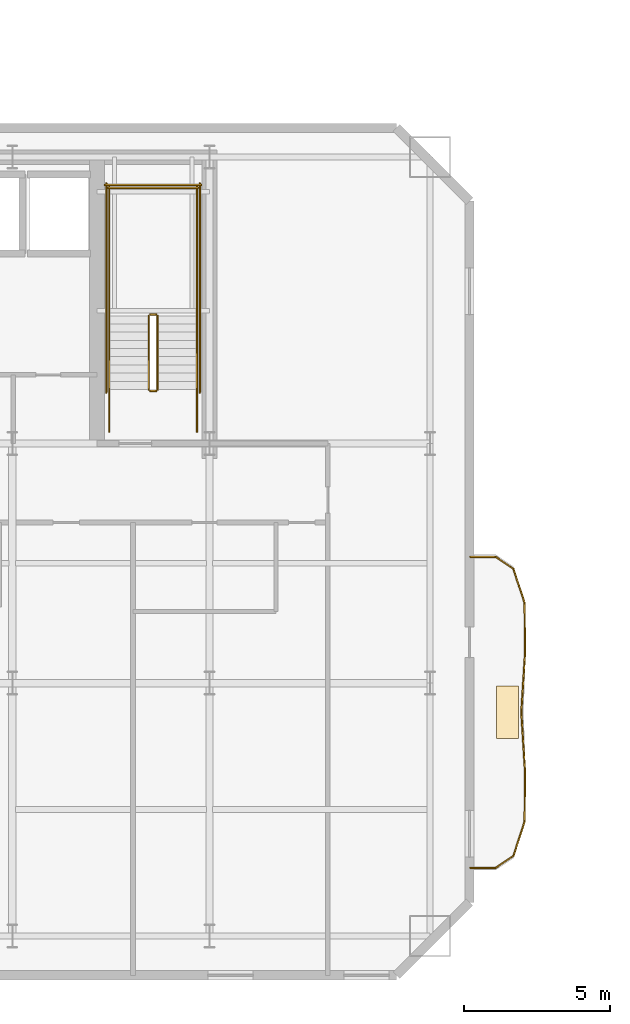
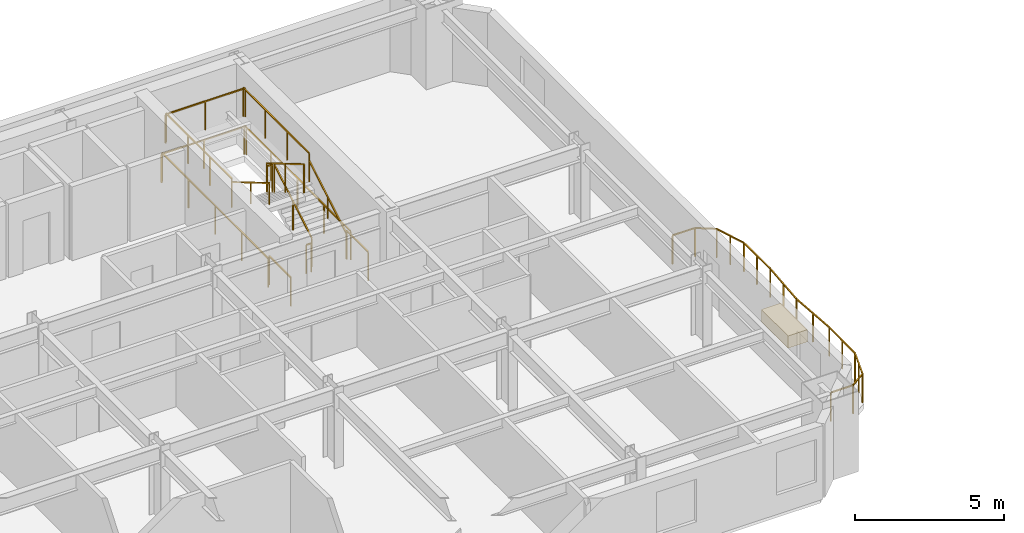
# One storey, part 11 of 13: 24 railings, 1 covering.
"""IFC4 building model written with IfcOpenShell, lengths in metres."""

from ifc_helpers import new_model, si_unit, direction, frame, origin, origin_2d, place, context, subcontext, project, spatial, rectangle, extrude, material, layer, layer_set, type_object, element, save


model = new_model("IFC4")

# Units and contexts
model_context = context("Model", 3, precision=1e-05, world=origin(), true_north=direction((0.0, 1.0)))
body_context = subcontext(model_context, "Body", "Model", "MODEL_VIEW")
ifc_project = project(units=[si_unit("LENGTHUNIT", "METRE"), si_unit("AREAUNIT", "SQUARE_METRE"), si_unit("VOLUMEUNIT", "CUBIC_METRE"), si_unit("PLANEANGLEUNIT", "RADIAN"), si_unit("MASSUNIT", "GRAM", prefix="KILO")], contexts=[model_context])

# Site, building, storey
site_placement = place(None, origin())
site = spatial("IfcSite", under=ifc_project, at=site_placement, CompositionType="ELEMENT")
building_placement = place(site_placement, origin())
building = spatial("IfcBuilding", under=site, at=building_placement, Name="Haevon Station Towers", CompositionType="ELEMENT")
storey_placement = place(building_placement, frame((0.0, 0.0, 126.300048828125)))
storey = spatial("IfcBuildingStorey", under=building, at=storey_placement, Name="L34", CompositionType="ELEMENT", Elevation=126.300048828125)

# Railings
ifc_material_1 = material(Name="Steel S355", Category="steel")
railing_type_1 = type_object("IfcRailingType", Name="GRD-EXT1200", PredefinedType="GUARDRAIL", material=ifc_material_1)
railing_1_placement = place(storey_placement, frame((59.923583984375, 23.677734375, 0.0)))
element("IfcRailing", 1, at=railing_1_placement, inside=storey, type_object=railing_type_1, Name="L34 Perimeter Guardrail 1", PredefinedType="GUARDRAIL", context=body_context, shape_type="SweptSolid", body=[
    extrude(rectangle(XDim=0.048095703125, YDim=0.048095703125, at=origin_2d()), frame((0.0, 0.0, 1.17578125), z_axis=(0.999997476494, 0.002246554286, 0.0), x_axis=(-0.002246554286, 0.999997476494, 0.0)), (0.0, 0.0, 1.0), 0.869384765625),
    extrude(rectangle(XDim=0.0419921875, YDim=0.0419921875, at=origin_2d()), origin(), (0.0, 0.0, 1.0), 1.15185546875),
    extrude(rectangle(XDim=0.0419921875, YDim=0.0419921875, at=origin_2d()), frame((0.869384765625, 0.001953125, 0.0)), (0.0, 0.0, 1.0), 1.15185546875),
])
railing_2_placement = place(storey_placement, frame((60.79296875, 23.6796875, 0.0)))
element("IfcRailing", 2, at=railing_2_placement, inside=storey, type_object=railing_type_1, Name="L34 Perimeter Guardrail 2", PredefinedType="GUARDRAIL", context=body_context, shape_type="SweptSolid", body=[
    extrude(rectangle(XDim=0.048095703125, YDim=0.048095703125, at=origin_2d()), frame((0.0, 0.0, 1.17578125), z_axis=(0.827983486592, 0.560752481876, 0.0), x_axis=(-0.560752481876, 0.827983486592, 0.0)), (0.0, 0.0, 1.0), 0.733642578125),
    extrude(rectangle(XDim=0.0419921875, YDim=0.0419921875, at=origin_2d()), origin(), (0.0, 0.0, 1.0), 1.15185546875),
    extrude(rectangle(XDim=0.0419921875, YDim=0.0419921875, at=origin_2d()), frame((0.607421875, 0.411376953125, 0.0)), (0.0, 0.0, 1.0), 1.15185546875),
])
railing_3_placement = place(storey_placement, frame((61.400390625, 24.091064453125, 0.0)))
element("IfcRailing", 3, at=railing_3_placement, inside=storey, type_object=railing_type_1, Name="L34 Perimeter Guardrail 3", PredefinedType="GUARDRAIL", context=body_context, shape_type="SweptSolid", body=[
    extrude(rectangle(XDim=0.048095703125, YDim=0.048095703125, at=origin_2d()), frame((0.0, 0.0, 1.17578125), z_axis=(0.312299013333, 0.949983855795, 0.0), x_axis=(-0.949983855795, 0.312299013333, 0.0)), (0.0, 0.0, 1.0), 1.231201171875),
    extrude(rectangle(XDim=0.0419921875, YDim=0.0419921875, at=origin_2d()), origin(), (0.0, 0.0, 1.0), 1.15185546875),
    extrude(rectangle(XDim=0.0419921875, YDim=0.0419921875, at=origin_2d()), frame((0.1923828125, 0.5849609375, 0.0)), (0.0, 0.0, 1.0), 1.15185546875),
    extrude(rectangle(XDim=0.0419921875, YDim=0.0419921875, at=origin_2d()), frame((0.384521484375, 1.169677734375, 0.0)), (0.0, 0.0, 1.0), 1.15185546875),
])
railing_4_placement = place(storey_placement, frame((61.784912109375, 25.2607421875, 0.0)))
element("IfcRailing", 4, at=railing_4_placement, inside=storey, type_object=railing_type_1, Name="L34 Perimeter Guardrail 4", PredefinedType="GUARDRAIL", context=body_context, shape_type="SweptSolid", body=[
    extrude(rectangle(XDim=0.048095703125, YDim=0.048095703125, at=origin_2d()), frame((0.0, 0.0, 1.17578125), z_axis=(0.006559523914, 0.999978486092, 0.0), x_axis=(-0.999978486092, 0.006559523914, 0.0)), (0.0, 0.0, 1.0), 1.749267578125),
    extrude(rectangle(XDim=0.0419921875, YDim=0.0419921875, at=origin_2d()), origin(), (0.0, 0.0, 1.0), 1.15185546875),
    extrude(rectangle(XDim=0.0419921875, YDim=0.0419921875, at=origin_2d()), frame((0.005859375, 0.87451171875, 0.0)), (0.0, 0.0, 1.0), 1.15185546875),
    extrude(rectangle(XDim=0.0419921875, YDim=0.0419921875, at=origin_2d()), frame((0.011474609375, 1.749267578125, 0.0)), (0.0, 0.0, 1.0), 1.15185546875),
])
railing_5_placement = place(storey_placement, frame((61.79638671875, 27.010009765625, 0.0)))
element("IfcRailing", 5, at=railing_5_placement, inside=storey, type_object=railing_type_1, Name="L34 Perimeter Guardrail 5", PredefinedType="GUARDRAIL", context=body_context, shape_type="SweptSolid", body=[
    extrude(rectangle(XDim=0.048095703125, YDim=0.048095703125, at=origin_2d()), frame((0.0, 0.0, 1.17578125), z_axis=(-0.062812782849, 0.99802532749, 0.0), x_axis=(-0.99802532749, -0.062812782849, 0.0)), (0.0, 0.0, 1.0), 1.993896484375),
    extrude(rectangle(XDim=0.0419921875, YDim=0.0419921875, at=origin_2d()), origin(), (0.0, 0.0, 1.0), 1.15185546875),
    extrude(rectangle(XDim=0.0419921875, YDim=0.0419921875, at=origin_2d()), frame((-0.0625, 0.9951171875, 0.0)), (0.0, 0.0, 1.0), 1.15185546875),
    extrude(rectangle(XDim=0.0419921875, YDim=0.0419921875, at=origin_2d()), frame((-0.125244140625, 1.989990234375, 0.0)), (0.0, 0.0, 1.0), 1.15185546875),
])
railing_6_placement = place(storey_placement, frame((61.671142578125, 29.0, 0.0)))
element("IfcRailing", 6, at=railing_6_placement, inside=storey, type_object=railing_type_1, Name="L34 Perimeter Guardrail 6", PredefinedType="GUARDRAIL", context=body_context, shape_type="SweptSolid", body=[
    extrude(rectangle(XDim=0.048095703125, YDim=0.048095703125, at=origin_2d()), frame((0.0, 0.0, 1.17578125), z_axis=(0.062812782849, 0.99802532749, 0.0), x_axis=(-0.99802532749, 0.062812782849, 0.0)), (0.0, 0.0, 1.0), 1.993896484375),
    extrude(rectangle(XDim=0.0419921875, YDim=0.0419921875, at=origin_2d()), origin(), (0.0, 0.0, 1.0), 1.15185546875),
    extrude(rectangle(XDim=0.0419921875, YDim=0.0419921875, at=origin_2d()), frame((0.0625, 0.9951171875, 0.0)), (0.0, 0.0, 1.0), 1.15185546875),
    extrude(rectangle(XDim=0.0419921875, YDim=0.0419921875, at=origin_2d()), frame((0.125244140625, 1.989990234375, 0.0)), (0.0, 0.0, 1.0), 1.15185546875),
])
railing_7_placement = place(storey_placement, frame((61.79638671875, 30.989990234375, 0.0)))
element("IfcRailing", 7, at=railing_7_placement, inside=storey, type_object=railing_type_1, Name="L34 Perimeter Guardrail 7", PredefinedType="GUARDRAIL", context=body_context, shape_type="SweptSolid", body=[
    extrude(rectangle(XDim=0.048095703125, YDim=0.048095703125, at=origin_2d()), frame((0.0, 0.0, 1.17578125), z_axis=(-0.006559523914, 0.999978486092, 0.0), x_axis=(-0.999978486092, -0.006559523914, 0.0)), (0.0, 0.0, 1.0), 1.749267578125),
    extrude(rectangle(XDim=0.0419921875, YDim=0.0419921875, at=origin_2d()), origin(), (0.0, 0.0, 1.0), 1.15185546875),
    extrude(rectangle(XDim=0.0419921875, YDim=0.0419921875, at=origin_2d()), frame((-0.005859375, 0.87451171875, 0.0)), (0.0, 0.0, 1.0), 1.15185546875),
    extrude(rectangle(XDim=0.0419921875, YDim=0.0419921875, at=origin_2d()), frame((-0.011474609375, 1.749267578125, 0.0)), (0.0, 0.0, 1.0), 1.15185546875),
])
railing_8_placement = place(storey_placement, frame((61.784912109375, 32.7392578125, 0.0)))
element("IfcRailing", 8, at=railing_8_placement, inside=storey, type_object=railing_type_1, Name="L34 Perimeter Guardrail 8", PredefinedType="GUARDRAIL", context=body_context, shape_type="SweptSolid", body=[
    extrude(rectangle(XDim=0.048095703125, YDim=0.048095703125, at=origin_2d()), frame((0.0, 0.0, 1.17578125), z_axis=(-0.312299013333, 0.949983855795, 0.0), x_axis=(-0.949983855795, -0.312299013333, 0.0)), (0.0, 0.0, 1.0), 1.231201171875),
    extrude(rectangle(XDim=0.0419921875, YDim=0.0419921875, at=origin_2d()), origin(), (0.0, 0.0, 1.0), 1.15185546875),
    extrude(rectangle(XDim=0.0419921875, YDim=0.0419921875, at=origin_2d()), frame((-0.1923828125, 0.5849609375, 0.0)), (0.0, 0.0, 1.0), 1.15185546875),
    extrude(rectangle(XDim=0.0419921875, YDim=0.0419921875, at=origin_2d()), frame((-0.384521484375, 1.169677734375, 0.0)), (0.0, 0.0, 1.0), 1.15185546875),
])
railing_9_placement = place(storey_placement, frame((61.400390625, 33.908935546875, 0.0)))
element("IfcRailing", 9, at=railing_9_placement, inside=storey, type_object=railing_type_1, Name="L34 Perimeter Guardrail 9", PredefinedType="GUARDRAIL", context=body_context, shape_type="SweptSolid", body=[
    extrude(rectangle(XDim=0.048095703125, YDim=0.048095703125, at=origin_2d()), frame((0.0, 0.0, 1.17578125), z_axis=(-0.827983486592, 0.560752481876, 0.0), x_axis=(-0.560752481876, -0.827983486592, 0.0)), (0.0, 0.0, 1.0), 0.733642578125),
    extrude(rectangle(XDim=0.0419921875, YDim=0.0419921875, at=origin_2d()), origin(), (0.0, 0.0, 1.0), 1.15185546875),
    extrude(rectangle(XDim=0.0419921875, YDim=0.0419921875, at=origin_2d()), frame((-0.607421875, 0.411376953125, 0.0)), (0.0, 0.0, 1.0), 1.15185546875),
])
railing_10_placement = place(storey_placement, frame((60.79296875, 34.3203125, 0.0)))
element("IfcRailing", 10, at=railing_10_placement, inside=storey, type_object=railing_type_1, Name="L34 Perimeter Guardrail 10", PredefinedType="GUARDRAIL", context=body_context, shape_type="SweptSolid", body=[
    extrude(rectangle(XDim=0.048095703125, YDim=0.048095703125, at=origin_2d()), frame((0.0, 0.0, 1.17578125), z_axis=(-0.999997476494, 0.002246554286, 0.0), x_axis=(-0.002246554286, -0.999997476494, 0.0)), (0.0, 0.0, 1.0), 0.869384765625),
    extrude(rectangle(XDim=0.0419921875, YDim=0.0419921875, at=origin_2d()), origin(), (0.0, 0.0, 1.0), 1.15185546875),
    extrude(rectangle(XDim=0.0419921875, YDim=0.0419921875, at=origin_2d()), frame((-0.869384765625, 0.001953125, 0.0)), (0.0, 0.0, 1.0), 1.15185546875),
])
railing_type_2 = type_object("IfcRailingType", Name="GRD-STR1200", PredefinedType="GUARDRAIL", material=ifc_material_1)
railing_11_placement = place(storey_placement, frame((49.219970703125, 40.050048828125, 0.1650390625)))
element("IfcRailing", 11, at=railing_11_placement, inside=storey, type_object=railing_type_2, Name="L34 ST2 Stair Guard 1", PredefinedType="GUARDRAIL", context=body_context, shape_type="SweptSolid", body=[
    extrude(rectangle(XDim=0.048095703125, YDim=0.048095703125, at=origin_2d()), frame((0.0, 0.0, 1.17578125), z_axis=(0.0, 0.861560626758, 0.507654692109), x_axis=(-1.0, 0.0, 0.0)), (0.0, 0.0, 1.0), 2.925048828125),
    extrude(rectangle(XDim=0.0419921875, YDim=0.0419921875, at=origin_2d()), origin(), (0.0, 0.0, 1.0), 1.15185546875),
    extrude(rectangle(XDim=0.0419921875, YDim=0.0419921875, at=origin_2d()), frame((0.0, 1.260009765625, 0.742431640625)), (0.0, 0.0, 1.0), 1.15185546875),
    extrude(rectangle(XDim=0.0419921875, YDim=0.0419921875, at=origin_2d()), frame((0.0, 2.52001953125, 1.48486328125)), (0.0, 0.0, 1.0), 1.15185546875),
])
railing_12_placement = place(storey_placement, frame((49.169921875, 42.6201171875, 1.64990234375)))
element("IfcRailing", 12, at=railing_12_placement, inside=storey, type_object=railing_type_2, Name="L34 ST2 Stair Guard 2", PredefinedType="GUARDRAIL", context=body_context, shape_type="SweptSolid", body=[
    extrude(rectangle(XDim=0.048095703125, YDim=0.048095703125, at=origin_2d()), frame((0.0, 0.0, 1.17578125), z_axis=(-1.0, 0.0, 0.0), x_axis=(0.0, -1.0, 0.0)), (0.0, 0.0, 1.0), 0.199951171875),
    extrude(rectangle(XDim=0.0419921875, YDim=0.0419921875, at=origin_2d()), origin(), (0.0, 0.0, 1.0), 1.15185546875),
    extrude(rectangle(XDim=0.0419921875, YDim=0.0419921875, at=origin_2d()), frame((-0.199951171875, 0.0, 0.0)), (0.0, 0.0, 1.0), 1.15185546875),
])
for number, where, name in (
    (13, (50.570068359375, 42.570068359375, 1.64990234375), "L34 ST2 Stair Guard 3"),
    (14, (47.570068359375, 42.570068359375, 1.64990234375), "L34 ST2 Stair Guard 4"),
):
    element("IfcRailing", number, at=place(storey_placement, frame(where)), inside=storey, type_object=railing_type_2, Name=name, PredefinedType="GUARDRAIL", context=body_context, shape_type="SweptSolid", body=[
        extrude(rectangle(XDim=0.048095703125, YDim=0.048095703125, at=origin_2d()), frame((0.0, 0.0, 1.17578125), z_axis=(0.0, 1.0, 0.0), x_axis=(-1.0, 0.0, 0.0)), (0.0, 0.0, 1.0), 4.429931640625),
        extrude(rectangle(XDim=0.0419921875, YDim=0.0419921875, at=origin_2d()), origin(), (0.0, 0.0, 1.0), 1.15185546875),
        extrude(rectangle(XDim=0.0419921875, YDim=0.0419921875, at=origin_2d()), frame((0.0, 1.4765625, 0.0)), (0.0, 0.0, 1.0), 1.15185546875),
        extrude(rectangle(XDim=0.0419921875, YDim=0.0419921875, at=origin_2d()), frame((0.0, 2.953369140625, 0.0)), (0.0, 0.0, 1.0), 1.15185546875),
        extrude(rectangle(XDim=0.0419921875, YDim=0.0419921875, at=origin_2d()), frame((0.0, 4.429931640625, 0.0)), (0.0, 0.0, 1.0), 1.15185546875),
    ])
railing_13_placement = place(storey_placement, frame((50.6201171875, 46.949951171875, 1.64990234375)))
element("IfcRailing", 15, at=railing_13_placement, inside=storey, type_object=railing_type_2, Name="L34 ST2 Stair Guard 5", PredefinedType="GUARDRAIL", context=body_context, shape_type="SweptSolid", body=[
    extrude(rectangle(XDim=0.048095703125, YDim=0.048095703125, at=origin_2d()), frame((0.0, 0.0, 1.17578125), z_axis=(-1.0, 0.0, 0.0), x_axis=(0.0, -1.0, 0.0)), (0.0, 0.0, 1.0), 3.10009765625),
    extrude(rectangle(XDim=0.0419921875, YDim=0.0419921875, at=origin_2d()), origin(), (0.0, 0.0, 1.0), 1.15185546875),
    extrude(rectangle(XDim=0.0419921875, YDim=0.0419921875, at=origin_2d()), frame((-1.550048828125, 0.0, 0.0)), (0.0, 0.0, 1.0), 1.15185546875),
    extrude(rectangle(XDim=0.0419921875, YDim=0.0419921875, at=origin_2d()), frame((-3.10009765625, 0.0, 0.0)), (0.0, 0.0, 1.0), 1.15185546875),
])
railing_14_placement = place(storey_placement, frame((48.919921875, 42.570068359375, 1.81494140625)))
element("IfcRailing", 16, at=railing_14_placement, inside=storey, type_object=railing_type_2, Name="L34 ST2 Stair Guard 6", PredefinedType="GUARDRAIL", context=body_context, shape_type="SweptSolid", body=[
    extrude(rectangle(XDim=0.048095703125, YDim=0.048095703125, at=origin_2d()), frame((0.0, 0.0, 1.17578125), z_axis=(0.0, -0.86152411907, 0.507716645641), x_axis=(1.0, 0.0, 0.0)), (0.0, 0.0, 1.0), 2.925048828125),
    extrude(rectangle(XDim=0.0419921875, YDim=0.0419921875, at=origin_2d()), origin(), (0.0, 0.0, 1.0), 1.15185546875),
    extrude(rectangle(XDim=0.0419921875, YDim=0.0419921875, at=origin_2d()), frame((0.0, -1.260009765625, 0.74267578125)), (0.0, 0.0, 1.0), 1.15185546875),
    extrude(rectangle(XDim=0.0419921875, YDim=0.0419921875, at=origin_2d()), frame((0.0, -2.52001953125, 1.485107421875)), (0.0, 0.0, 1.0), 1.15185546875),
])
railing_15_placement = place(storey_placement, frame((49.169921875, 40.0, 0.0)))
element("IfcRailing", 17, at=railing_15_placement, inside=storey, type_object=railing_type_2, Name="L34 ST2 Stair Guard 7", PredefinedType="GUARDRAIL", context=body_context, shape_type="SweptSolid", body=[
    extrude(rectangle(XDim=0.048095703125, YDim=0.048095703125, at=origin_2d()), frame((0.0, 0.0, 1.17578125), z_axis=(-1.0, 0.0, 0.0), x_axis=(0.0, -1.0, 0.0)), (0.0, 0.0, 1.0), 0.199951171875),
    extrude(rectangle(XDim=0.0419921875, YDim=0.0419921875, at=origin_2d()), origin(), (0.0, 0.0, 1.0), 1.15185546875),
    extrude(rectangle(XDim=0.0419921875, YDim=0.0419921875, at=origin_2d()), frame((-0.199951171875, 0.0, 0.0)), (0.0, 0.0, 1.0), 1.15185546875),
])
for number, where, name in (
    (18, (50.570068359375, 38.60009765625, 0.0), "L34 ST2 Stair Guard 8"),
    (19, (47.570068359375, 38.60009765625, 0.0), "L34 ST2 Stair Guard 9"),
):
    element("IfcRailing", number, at=place(storey_placement, frame(where)), inside=storey, type_object=railing_type_2, Name=name, PredefinedType="GUARDRAIL", context=body_context, shape_type="SweptSolid", body=[
        extrude(rectangle(XDim=0.048095703125, YDim=0.048095703125, at=origin_2d()), frame((0.0, 0.0, 1.17578125), z_axis=(0.0, 1.0, 0.0), x_axis=(-1.0, 0.0, 0.0)), (0.0, 0.0, 1.0), 1.449951171875),
        extrude(rectangle(XDim=0.0419921875, YDim=0.0419921875, at=origin_2d()), origin(), (0.0, 0.0, 1.0), 1.15185546875),
        extrude(rectangle(XDim=0.0419921875, YDim=0.0419921875, at=origin_2d()), frame((0.0, 1.449951171875, 0.0)), (0.0, 0.0, 1.0), 1.15185546875),
    ])
for number, where, name in (
    (20, (50.669921875, 39.949951171875, 0.0), "L34 ST2 Stair Guard 10"),
    (21, (47.469970703125, 39.949951171875, 0.0), "L34 ST2 Stair Guard 11"),
):
    element("IfcRailing", number, at=place(storey_placement, frame(where)), inside=storey, type_object=railing_type_2, Name=name, PredefinedType="GUARDRAIL", context=body_context, shape_type="SweptSolid", body=[
        extrude(rectangle(XDim=0.048095703125, YDim=0.048095703125, at=origin_2d()), frame((0.0, 0.0, 1.17578125), z_axis=(0.0, 1.0, 0.0), x_axis=(-1.0, 0.0, 0.0)), (0.0, 0.0, 1.0), 7.150146484375),
        extrude(rectangle(XDim=0.0419921875, YDim=0.0419921875, at=origin_2d()), origin(), (0.0, 0.0, 1.0), 1.15185546875),
        extrude(rectangle(XDim=0.0419921875, YDim=0.0419921875, at=origin_2d()), frame((0.0, 1.78759765625, 0.0)), (0.0, 0.0, 1.0), 1.15185546875),
        extrude(rectangle(XDim=0.0419921875, YDim=0.0419921875, at=origin_2d()), frame((0.0, 3.5751953125, 0.0)), (0.0, 0.0, 1.0), 1.15185546875),
        extrude(rectangle(XDim=0.0419921875, YDim=0.0419921875, at=origin_2d()), frame((0.0, 5.362548828125, 0.0)), (0.0, 0.0, 1.0), 1.15185546875),
        extrude(rectangle(XDim=0.0419921875, YDim=0.0419921875, at=origin_2d()), frame((0.0, 7.150146484375, 0.0)), (0.0, 0.0, 1.0), 1.15185546875),
    ])
railing_16_placement = place(storey_placement, frame((50.719970703125, 47.050048828125, 0.0)))
element("IfcRailing", 22, at=railing_16_placement, inside=storey, type_object=railing_type_2, Name="L34 ST2 Stair Guard 12", PredefinedType="GUARDRAIL", context=body_context, shape_type="SweptSolid", body=[
    extrude(rectangle(XDim=0.048095703125, YDim=0.048095703125, at=origin_2d()), frame((0.0, 0.0, 1.17578125), z_axis=(-1.0, 0.0, 0.0), x_axis=(0.0, -1.0, 0.0)), (0.0, 0.0, 1.0), 3.300048828125),
    extrude(rectangle(XDim=0.0419921875, YDim=0.0419921875, at=origin_2d()), origin(), (0.0, 0.0, 1.0), 1.15185546875),
    extrude(rectangle(XDim=0.0419921875, YDim=0.0419921875, at=origin_2d()), frame((-1.64990234375, 0.0, 0.0)), (0.0, 0.0, 1.0), 1.15185546875),
    extrude(rectangle(XDim=0.0419921875, YDim=0.0419921875, at=origin_2d()), frame((-3.300048828125, 0.0, 0.0)), (0.0, 0.0, 1.0), 1.15185546875),
])
railing_type_3 = type_object("IfcRailingType", Name="HND-STR900", PredefinedType="HANDRAIL", material=ifc_material_1)
railing_17_placement = place(storey_placement, frame((50.570068359375, 40.050048828125, 0.1650390625)))
element("IfcRailing", 23, at=railing_17_placement, inside=storey, type_object=railing_type_3, Name="L34 ST2 Stair Handrail 1", PredefinedType="HANDRAIL", context=body_context, shape_type="SweptSolid", body=[
    extrude(rectangle(XDim=0.048095703125, YDim=0.048095703125, at=origin_2d()), frame((0.0, 0.0, 0.8759765625), z_axis=(0.0, 0.861560626758, 0.507654692109), x_axis=(-1.0, 0.0, 0.0)), (0.0, 0.0, 1.0), 2.925048828125),
    extrude(rectangle(XDim=0.0419921875, YDim=0.0419921875, at=origin_2d()), origin(), (0.0, 0.0, 1.0), 0.851806640625),
    extrude(rectangle(XDim=0.0419921875, YDim=0.0419921875, at=origin_2d()), frame((0.0, 1.260009765625, 0.742431640625)), (0.0, 0.0, 1.0), 0.851806640625),
    extrude(rectangle(XDim=0.0419921875, YDim=0.0419921875, at=origin_2d()), frame((0.0, 2.52001953125, 1.48486328125)), (0.0, 0.0, 1.0), 0.851806640625),
])
railing_18_placement = place(storey_placement, frame((47.570068359375, 42.570068359375, 1.81494140625)))
element("IfcRailing", 24, at=railing_18_placement, inside=storey, type_object=railing_type_3, Name="L34 ST2 Stair Handrail 2", PredefinedType="HANDRAIL", context=body_context, shape_type="SweptSolid", body=[
    extrude(rectangle(XDim=0.048095703125, YDim=0.048095703125, at=origin_2d()), frame((0.0, 0.0, 0.8759765625), z_axis=(0.0, -0.86152411907, 0.507716645641), x_axis=(1.0, 0.0, 0.0)), (0.0, 0.0, 1.0), 2.925048828125),
    extrude(rectangle(XDim=0.0419921875, YDim=0.0419921875, at=origin_2d()), origin(), (0.0, 0.0, 1.0), 0.851806640625),
    extrude(rectangle(XDim=0.0419921875, YDim=0.0419921875, at=origin_2d()), frame((0.0, -1.260009765625, 0.74267578125)), (0.0, 0.0, 1.0), 0.851806640625),
    extrude(rectangle(XDim=0.0419921875, YDim=0.0419921875, at=origin_2d()), frame((0.0, -2.52001953125, 1.485107421875)), (0.0, 0.0, 1.0), 0.851806640625),
])

# Covering
ifc_material_2 = material(Name="Architectural planter GRC", Category="concrete")
ifc_layer = layer(ifc_material_2, 0.550048828125)
ifc_layer_set = layer_set([ifc_layer], Name="Architectural planter GRC")
covering_type = type_object("IfcCoveringType", Name="PLN-GRC550", PredefinedType="MOLDING", material=ifc_layer_set)
covering_placement = place(storey_placement, frame((61.19775390625, 29.0, 0.0), z_axis=(0.0, 0.0, 1.0), x_axis=(1.0, 0.0, 0.0)))
element("IfcCovering", 25, at=covering_placement, inside=storey, type_object=covering_type, Name="Tower 1 L34 Scalloped Balcony PLANTER", PredefinedType="MOLDING", context=body_context, shape_type="SweptSolid", body=[
    extrude(rectangle(XDim=0.75, YDim=1.800048828125, at=origin_2d()), origin(), (0.0, 0.0, 1.0), 0.5),
])

save(model, "model.ifc")
